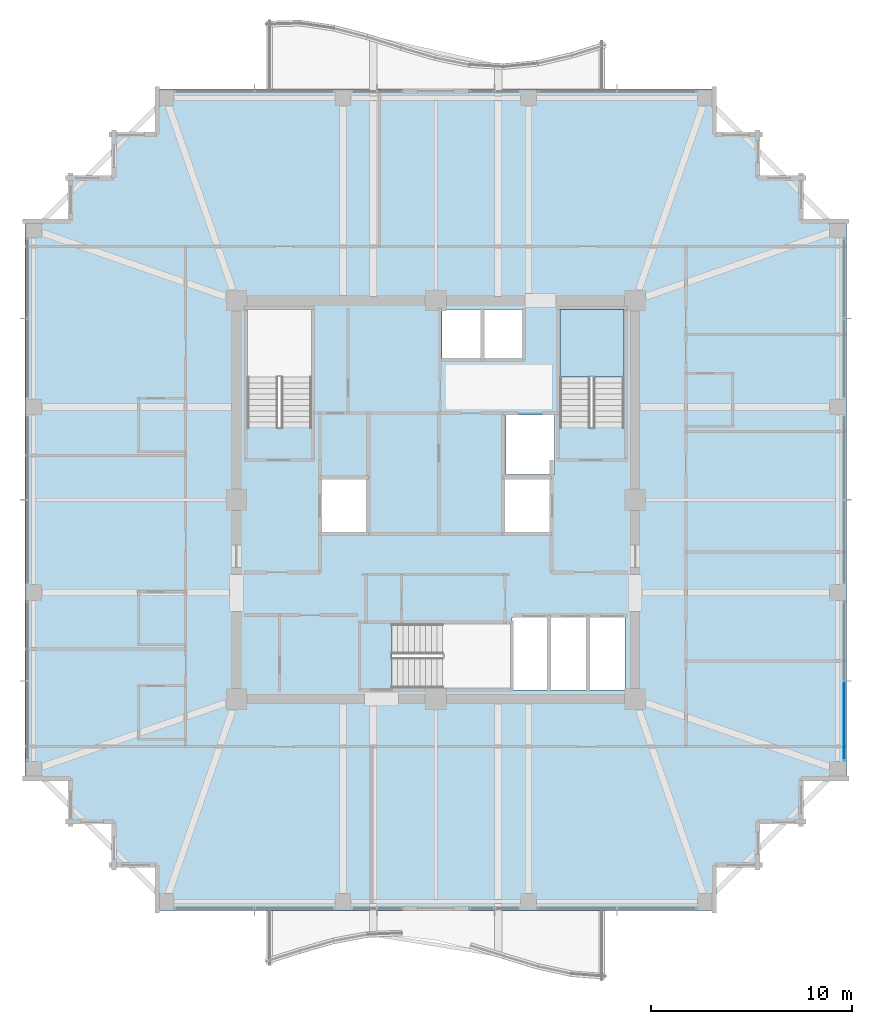
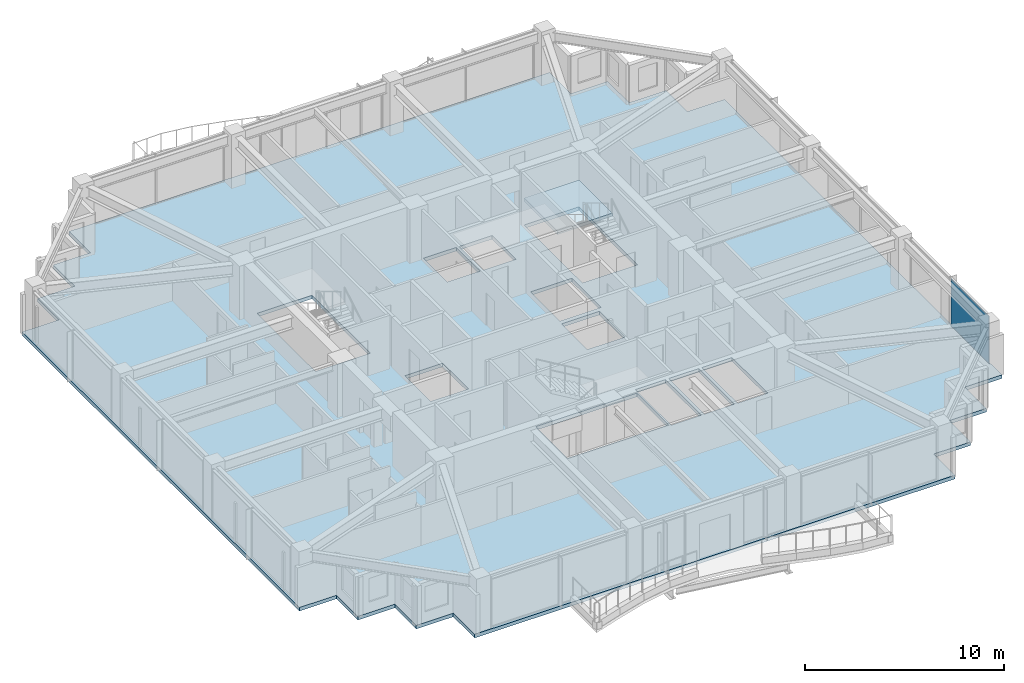
# One storey, part 26 of 36: 2 slabs, 1 plate, 2 elements without a shape of their own.
"""IFC4 building model written with IfcOpenShell, lengths in metres."""

from ifc_helpers import new_model, si_unit, direction, frame, origin, origin_2d, place, context, subcontext, project, spatial, polyline, rectangle, outline, extrude, material, layer, layer_set, type_object, element, aggregate, save


model = new_model("IFC4")

# Units and contexts
model_context = context("Model", 3, precision=1e-05, world=origin(), true_north=direction((0.0, 1.0)))
body_context = subcontext(model_context, "Body", "Model", "MODEL_VIEW")
ifc_project = project(units=[si_unit("LENGTHUNIT", "METRE"), si_unit("AREAUNIT", "SQUARE_METRE"), si_unit("VOLUMEUNIT", "CUBIC_METRE"), si_unit("PLANEANGLEUNIT", "RADIAN"), si_unit("MASSUNIT", "GRAM", prefix="KILO")], contexts=[model_context])

# Site, building, storey
site_placement = place(None, origin())
site = spatial("IfcSite", under=ifc_project, at=site_placement, CompositionType="ELEMENT")
building_placement = place(site_placement, origin())
building = spatial("IfcBuilding", under=site, at=building_placement, Name="Kolvaren Belvedere", CompositionType="ELEMENT")
storey_placement = place(building_placement, frame((0.0, 0.0, 199.800048828125)))
storey = spatial("IfcBuildingStorey", under=building, at=storey_placement, Name="L58", CompositionType="ELEMENT", Elevation=199.800048828125)

# Curtain wall, plate
ifc_material_1 = material(Name="Anodised pale-metal aluminium AA 6063-T6", Category="aluminium")
curtain_wall_type = type_object("IfcCurtainWallType", Name="CW-Z5-HIGH", PredefinedType="NOTDEFINED", material=ifc_material_1)
curtain_wall_placement = place(storey_placement, origin())
curtain_wall = element("IfcCurtainWall", 1, at=curtain_wall_placement, inside=storey, type_object=curtain_wall_type, Name="L58 Unitised Curtain Wall FCW-L58-E-B3", PredefinedType="NOTDEFINED")
ifc_material_2 = material(Name="Low-iron triple insulated glass", Category="glass")
ifc_layer_1 = layer(ifc_material_2, 0.028076171875)
ifc_layer_set_1 = layer_set([ifc_layer_1], Name="Low-iron triple insulated glass")
plate_type = type_object("IfcPlateType", Name="CW-PNL-VIS28", PredefinedType="CURTAIN_PANEL", material=ifc_layer_set_1)
plate_placement = place(storey_placement, frame((20.280029296875, -10.972412109375, 0.080078125), z_axis=(0.0, 0.0, 1.0), x_axis=(0.0, -1.0, 0.0)))
plate = element("IfcPlate", 2, at=plate_placement, type_object=plate_type, Name="FCW-L58-E-B3 Vision Glazing Panel 2", PredefinedType="CURTAIN_PANEL", context=body_context, shape_type="SweptSolid", body=[
    extrude(rectangle(XDim=3.864990234375, YDim=0.028076171875, at=origin_2d()), origin(), (0.0, 0.0, 1.0), 2.919921875),
])
aggregate(curtain_wall, [plate])

# Slab
ifc_material_3 = material(Name="Concrete C50/60", Category="concrete")
ifc_layer_2 = layer(ifc_material_3, 0.219970703125)
ifc_layer_set_2 = layer_set([ifc_layer_2], Name="Concrete C50/60")
slab_type_1 = type_object("IfcSlabType", Name="SL-FLR-220", PredefinedType="FLOOR", material=ifc_layer_set_2)
slab_1_placement = place(storey_placement, frame((0.0, 0.0, -0.219970703125)))
element("IfcSlab", 3, at=slab_1_placement, inside=storey, type_object=slab_type_1, Name="L58 Primary Structural Slab", PredefinedType="FLOOR", context=body_context, shape_type="SweptSolid", body=[
    extrude(outline(polyline([(-13.949951171875, -20.39990234375), (13.949951171875, -20.39990234375), (13.949951171875, -18.25), (16.10009765625, -18.25), (16.10009765625, -16.10009765625), (18.25, -16.10009765625), (18.25, -13.949951171875), (20.39990234375, -13.949951171875), (20.39990234375, 13.949951171875), (18.25, 13.949951171875), (18.25, 16.10009765625), (16.10009765625, 16.10009765625), (16.10009765625, 18.25), (13.949951171875, 18.25), (13.949951171875, 20.39990234375), (-13.949951171875, 20.39990234375), (-13.949951171875, 18.25), (-16.10009765625, 18.25), (-16.10009765625, 16.10009765625), (-18.25, 16.10009765625), (-18.25, 13.949951171875), (-20.39990234375, 13.949951171875), (-20.39990234375, -13.949951171875), (-18.25, -13.949951171875), (-18.25, -16.10009765625), (-16.10009765625, -16.10009765625), (-16.10009765625, -18.25), (-13.949951171875, -18.25), (-13.949951171875, -20.39990234375)]), holes=[polyline([(-9.35009765625, 3.580078125), (-6.159912109375, 3.580078125), (-6.159912109375, 9.449951171875), (-9.35009765625, 9.449951171875), (-9.35009765625, 3.580078125)]), polyline([(6.159912109375, 3.580078125), (9.35009765625, 3.580078125), (9.35009765625, 9.449951171875), (6.159912109375, 9.449951171875), (6.159912109375, 3.580078125)]), polyline([(-2.169921875, -9.35009765625), (3.699951171875, -9.35009765625), (3.699951171875, -6.159912109375), (-2.169921875, -6.159912109375), (-2.169921875, -9.35009765625)]), polyline([(-5.64990234375, -1.60009765625), (-3.449951171875, -1.60009765625), (-3.449951171875, 1.0), (-5.64990234375, 1.0), (-5.64990234375, -1.60009765625)]), polyline([(3.5, 1.25), (5.89990234375, 1.25), (5.89990234375, 4.199951171875), (3.5, 4.199951171875), (3.5, 1.25)]), polyline([(3.449951171875, -1.60009765625), (5.64990234375, -1.60009765625), (5.64990234375, 1.0), (3.449951171875, 1.0), (3.449951171875, -1.60009765625)]), polyline([(3.7900390625, -9.449951171875), (5.5400390625, -9.449951171875), (5.5400390625, -5.85009765625), (3.7900390625, -5.85009765625), (3.7900390625, -9.449951171875)]), polyline([(5.719970703125, -9.449951171875), (7.469970703125, -9.449951171875), (7.469970703125, -5.85009765625), (5.719970703125, -5.85009765625), (5.719970703125, -9.449951171875)]), polyline([(7.64990234375, -9.449951171875), (9.39990234375, -9.449951171875), (9.39990234375, -5.85009765625), (7.64990234375, -5.85009765625), (7.64990234375, -9.449951171875)]), polyline([(0.320068359375, 7.050048828125), (2.219970703125, 7.050048828125), (2.219970703125, 9.449951171875), (0.320068359375, 9.449951171875), (0.320068359375, 7.050048828125)]), polyline([(2.39990234375, 7.050048828125), (4.300048828125, 7.050048828125), (4.300048828125, 9.449951171875), (2.39990234375, 9.449951171875), (2.39990234375, 7.050048828125)])]), origin(), (0.0, 0.0, 1.0), 0.219970703125),
])

# Stair, slab
ifc_material_4 = material(Name="Concrete C50/60", Category="concrete")
stair_type = type_object("IfcStairType", Name="ST-CORE-1520", PredefinedType="HALF_TURN_STAIR", material=ifc_material_4)
stair_placement = place(storey_placement, origin())
stair = element("IfcStair", 4, at=stair_placement, inside=storey, type_object=stair_type, Name="L58 Protected Exit Stair ST-2", PredefinedType="HALF_TURN_STAIR")
ifc_material_5 = material(Name="Concrete C50/60", Category="concrete")
ifc_layer_3 = layer(ifc_material_5, 0.260009765625)
ifc_layer_set_3 = layer_set([ifc_layer_3], Name="Concrete C50/60")
slab_type_2 = type_object("IfcSlabType", Name="SL-LAND-260", PredefinedType="LANDING", material=ifc_layer_set_3)
slab_2_placement = place(storey_placement, frame((0.0, 0.0, 1.449951171875)))
slab_2 = element("IfcSlab", 5, at=slab_2_placement, type_object=slab_type_2, Name="ST-2 landing 1", PredefinedType="LANDING", context=body_context, shape_type="SweptSolid", body=[
    extrude(outline(polyline([(9.35009765625, 6.090087890625), (9.35009765625, 9.449951171875), (6.159912109375, 9.449951171875), (6.159912109375, 6.090087890625), (9.35009765625, 6.090087890625)])), origin(), (0.0, 0.0, 1.0), 0.199951171875),
])
aggregate(stair, [slab_2])

save(model, "model.ifc")
